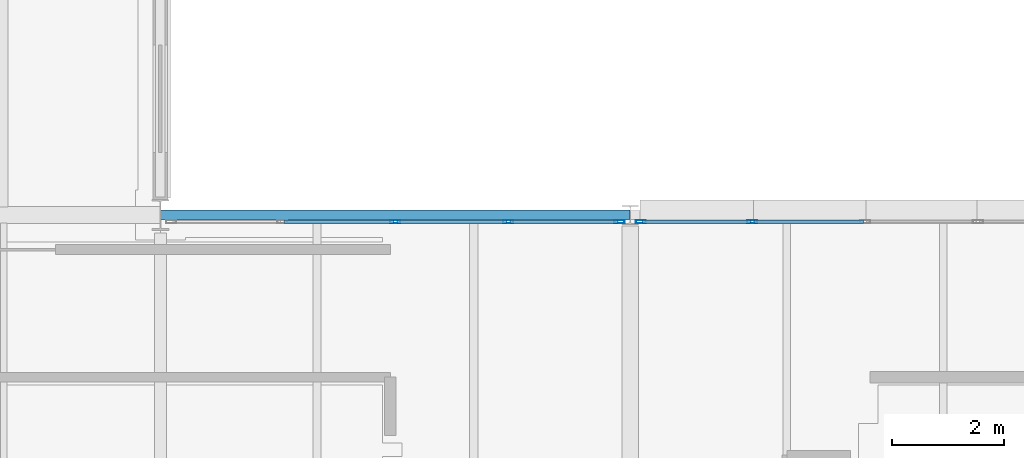
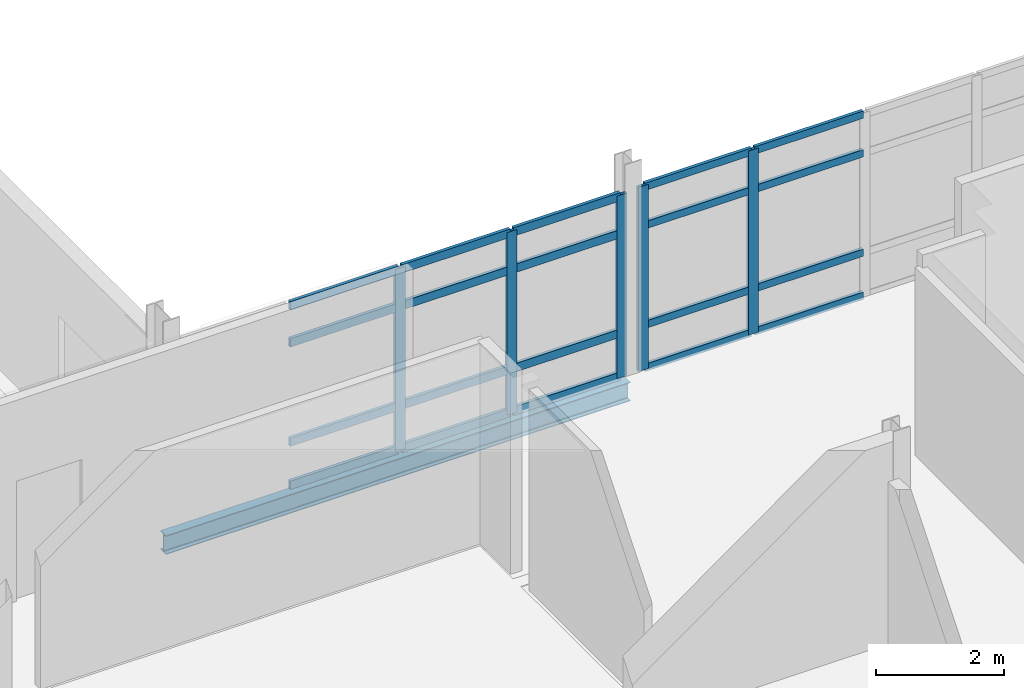
# One storey, part 31 of 151: 25 members, 1 beam, 2 elements without a shape of their own.
"""IFC4 building model written with IfcOpenShell, lengths in metres."""

from ifc_helpers import new_model, si_unit, direction, frame, origin, origin_2d, place, context, subcontext, project, spatial, hollow_rectangle, i_section, extrude, material, material_profile, profile_set, type_object, element, aggregate, save


model = new_model("IFC4")

# Units and contexts
model_context = context("Model", 3, precision=1e-05, world=origin(), true_north=direction((0.0, 1.0)))
body_context = subcontext(model_context, "Body", "Model", "MODEL_VIEW")
ifc_project = project(units=[si_unit("LENGTHUNIT", "METRE"), si_unit("AREAUNIT", "SQUARE_METRE"), si_unit("VOLUMEUNIT", "CUBIC_METRE"), si_unit("PLANEANGLEUNIT", "RADIAN"), si_unit("MASSUNIT", "GRAM", prefix="KILO")], contexts=[model_context])

# Site, building, storey
site_placement = place(None, origin())
site = spatial("IfcSite", under=ifc_project, at=site_placement, CompositionType="ELEMENT")
building_placement = place(site_placement, origin())
building = spatial("IfcBuilding", under=site, at=building_placement, Name="Mersafa Astral City Hall", CompositionType="ELEMENT")
storey_placement = place(building_placement, frame((0.0, 0.0, 9.89990234375)))
storey = spatial("IfcBuildingStorey", under=building, at=storey_placement, Name="L02", CompositionType="ELEMENT", Elevation=9.89990234375)

# Curtain wall, members
ifc_material_1 = material(Name="Anodised bronze aluminium framing", Category="aluminium")
curtain_wall_type_1 = type_object("IfcCurtainWallType", Name="ENV-CW-2", PredefinedType="USERDEFINED", material=ifc_material_1)
curtain_wall_1_placement = place(storey_placement, origin())
curtain_wall_1 = element("IfcCurtainWall", 1, at=curtain_wall_1_placement, inside=storey, type_object=curtain_wall_type_1, Name="L02 Unitised solar curtain wall 109", ObjectType="UNITISED CURTAIN WALL", PredefinedType="USERDEFINED")
ifc_material_profile_1 = material_profile(ifc_material_1, hollow_rectangle(XDim=0.06005859375, YDim=0.179931640625, WallThickness=0.00390625, at=origin_2d()), Name="RHS 60x180x4")
ifc_profile_set_1 = profile_set([ifc_material_profile_1], Name="Anodised bronze aluminium framing")
member_type_1 = type_object("IfcMemberType", Name="ENV-CW-MUL-1", PredefinedType="MULLION", material=ifc_profile_set_1)
member_1_placement = place(storey_placement, frame((128.180908203125, 33.47998046875, -0.001953125), z_axis=(0.0, 0.0, 1.0), x_axis=(0.0, -1.0, 0.0)))
member_1 = element("IfcMember", 2, at=member_1_placement, type_object=member_type_1, Name="CW-2 mullion 4", PredefinedType="MULLION", context=body_context, shape_type="SweptSolid", body=[
    extrude(hollow_rectangle(XDim=0.06005859375, YDim=0.179931640625, WallThickness=0.00390625, at=origin_2d()), origin(), (0.0, 0.0, 1.0), 3.51904296875),
])
member_2_placement = place(storey_placement, frame((126.19189453125, 33.47998046875, -0.001953125), z_axis=(0.0, 0.0, 1.0), x_axis=(0.0, -1.0, 0.0)))
member_2 = element("IfcMember", 3, at=member_2_placement, type_object=member_type_1, Name="CW-2 mullion 5", PredefinedType="MULLION", context=body_context, shape_type="SweptSolid", body=[
    extrude(hollow_rectangle(XDim=0.06005859375, YDim=0.179931640625, WallThickness=0.00390625, at=origin_2d()), origin(), (0.0, 0.0, 1.0), 3.51904296875),
])

curtain_wall_type_2 = type_object("IfcCurtainWallType", Name="ENV-CW-3", PredefinedType="USERDEFINED", material=ifc_material_1)
curtain_wall_2_placement = place(storey_placement, origin())
curtain_wall_2 = element("IfcCurtainWall", 4, at=curtain_wall_2_placement, inside=storey, type_object=curtain_wall_type_2, Name="L02 Unitised solar curtain wall 110", ObjectType="UNITISED CURTAIN WALL", PredefinedType="USERDEFINED")
member_3_placement = place(storey_placement, frame((125.80810546875, 33.47998046875, -0.001953125), z_axis=(0.0, 0.0, 1.0), x_axis=(0.0, -1.0, 0.0)))
member_3 = element("IfcMember", 5, at=member_3_placement, type_object=member_type_1, Name="CW-3 mullion 1", PredefinedType="MULLION", context=body_context, shape_type="SweptSolid", body=[
    extrude(hollow_rectangle(XDim=0.06005859375, YDim=0.179931640625, WallThickness=0.00390625, at=origin_2d()), origin(), (0.0, 0.0, 1.0), 3.489013671875),
])
member_4_placement = place(storey_placement, frame((123.819091796875, 33.47998046875, -0.001953125), z_axis=(0.0, 0.0, 1.0), x_axis=(0.0, -1.0, 0.0)))
member_4 = element("IfcMember", 6, at=member_4_placement, type_object=member_type_1, Name="CW-3 mullion 2", PredefinedType="MULLION", context=body_context, shape_type="SweptSolid", body=[
    extrude(hollow_rectangle(XDim=0.06005859375, YDim=0.179931640625, WallThickness=0.00390625, at=origin_2d()), origin(), (0.0, 0.0, 1.0), 3.489013671875),
])
member_5_placement = place(storey_placement, frame((121.800048828125, 33.47998046875, -0.001953125), z_axis=(0.0, 0.0, 1.0), x_axis=(0.0, -1.0, 0.0)))
member_5 = element("IfcMember", 7, at=member_5_placement, type_object=member_type_1, Name="CW-3 mullion 3", PredefinedType="MULLION", context=body_context, shape_type="SweptSolid", body=[
    extrude(hollow_rectangle(XDim=0.06005859375, YDim=0.179931640625, WallThickness=0.00390625, at=origin_2d()), origin(), (0.0, 0.0, 1.0), 3.489013671875),
])

# Member
ifc_material_profile_2 = material_profile(ifc_material_1, hollow_rectangle(XDim=0.06005859375, YDim=0.139892578125, WallThickness=0.00390625, at=origin_2d()), Name="RHS 60x140x4")
ifc_profile_set_2 = profile_set([ifc_material_profile_2], Name="Anodised bronze aluminium framing")
member_type_2 = type_object("IfcMemberType", Name="ENV-CW-TRN-1", PredefinedType="USERDEFINED", material=ifc_profile_set_2)
member_6_placement = place(storey_placement, frame((130.169921875, 33.47998046875, 0.028076171875), z_axis=(-1.0, 0.0, 0.0), x_axis=(0.0, -1.0, 0.0)))
member_6 = element("IfcMember", 8, at=member_6_placement, type_object=member_type_2, Name="CW-2 transom 3.1", ObjectType="TRANSOM", PredefinedType="USERDEFINED", context=body_context, shape_type="SweptSolid", body=[
    extrude(hollow_rectangle(XDim=0.06005859375, YDim=0.139892578125, WallThickness=0.00390625, at=origin_2d()), origin(), (0.0, 0.0, 1.0), 1.958984375),
])

member_7_placement = place(storey_placement, frame((130.169921875, 33.47998046875, 0.85009765625), z_axis=(-1.0, 0.0, 0.0), x_axis=(0.0, -1.0, 0.0)))
member_7 = element("IfcMember", 9, at=member_7_placement, type_object=member_type_2, Name="CW-2 transom 3.2", ObjectType="TRANSOM", PredefinedType="USERDEFINED", context=body_context, shape_type="SweptSolid", body=[
    extrude(hollow_rectangle(XDim=0.06005859375, YDim=0.139892578125, WallThickness=0.00390625, at=origin_2d()), origin(), (0.0, 0.0, 1.0), 1.958984375),
])

member_8_placement = place(storey_placement, frame((130.169921875, 33.47998046875, 2.75), z_axis=(-1.0, 0.0, 0.0), x_axis=(0.0, -1.0, 0.0)))
member_8 = element("IfcMember", 10, at=member_8_placement, type_object=member_type_2, Name="CW-2 transom 3.3", ObjectType="TRANSOM", PredefinedType="USERDEFINED", context=body_context, shape_type="SweptSolid", body=[
    extrude(hollow_rectangle(XDim=0.06005859375, YDim=0.139892578125, WallThickness=0.00390625, at=origin_2d()), origin(), (0.0, 0.0, 1.0), 1.958984375),
])

member_9_placement = place(storey_placement, frame((130.169921875, 33.47998046875, 3.487060546875), z_axis=(-1.0, 0.0, 0.0), x_axis=(0.0, -1.0, 0.0)))
member_9 = element("IfcMember", 11, at=member_9_placement, type_object=member_type_2, Name="CW-2 transom 3.4", ObjectType="TRANSOM", PredefinedType="USERDEFINED", context=body_context, shape_type="SweptSolid", body=[
    extrude(hollow_rectangle(XDim=0.06005859375, YDim=0.139892578125, WallThickness=0.00390625, at=origin_2d()), origin(), (0.0, 0.0, 1.0), 1.958984375),
])

member_10_placement = place(storey_placement, frame((128.15087890625, 33.47998046875, 0.028076171875), z_axis=(-1.0, 0.0, 0.0), x_axis=(0.0, -1.0, 0.0)))
member_10 = element("IfcMember", 12, at=member_10_placement, type_object=member_type_2, Name="CW-2 transom 4.1", ObjectType="TRANSOM", PredefinedType="USERDEFINED", context=body_context, shape_type="SweptSolid", body=[
    extrude(hollow_rectangle(XDim=0.06005859375, YDim=0.139892578125, WallThickness=0.00390625, at=origin_2d()), origin(), (0.0, 0.0, 1.0), 1.928955078125),
])

member_11_placement = place(storey_placement, frame((128.15087890625, 33.47998046875, 0.85009765625), z_axis=(-1.0, 0.0, 0.0), x_axis=(0.0, -1.0, 0.0)))
member_11 = element("IfcMember", 13, at=member_11_placement, type_object=member_type_2, Name="CW-2 transom 4.2", ObjectType="TRANSOM", PredefinedType="USERDEFINED", context=body_context, shape_type="SweptSolid", body=[
    extrude(hollow_rectangle(XDim=0.06005859375, YDim=0.139892578125, WallThickness=0.00390625, at=origin_2d()), origin(), (0.0, 0.0, 1.0), 1.928955078125),
])

member_12_placement = place(storey_placement, frame((128.15087890625, 33.47998046875, 2.75), z_axis=(-1.0, 0.0, 0.0), x_axis=(0.0, -1.0, 0.0)))
member_12 = element("IfcMember", 14, at=member_12_placement, type_object=member_type_2, Name="CW-2 transom 4.3", ObjectType="TRANSOM", PredefinedType="USERDEFINED", context=body_context, shape_type="SweptSolid", body=[
    extrude(hollow_rectangle(XDim=0.06005859375, YDim=0.139892578125, WallThickness=0.00390625, at=origin_2d()), origin(), (0.0, 0.0, 1.0), 1.928955078125),
])

member_13_placement = place(storey_placement, frame((128.15087890625, 33.47998046875, 3.487060546875), z_axis=(-1.0, 0.0, 0.0), x_axis=(0.0, -1.0, 0.0)))
member_13 = element("IfcMember", 15, at=member_13_placement, type_object=member_type_2, Name="CW-2 transom 4.4", ObjectType="TRANSOM", PredefinedType="USERDEFINED", context=body_context, shape_type="SweptSolid", body=[
    extrude(hollow_rectangle(XDim=0.06005859375, YDim=0.139892578125, WallThickness=0.00390625, at=origin_2d()), origin(), (0.0, 0.0, 1.0), 1.928955078125),
])

aggregate(curtain_wall_1, [member_1, member_2, member_6, member_7, member_8, member_9, member_10, member_11, member_12, member_13])

ifc_material_profile_3 = material_profile(ifc_material_1, hollow_rectangle(XDim=0.06005859375, YDim=0.159912109375, WallThickness=0.00390625, at=origin_2d()), Name="RHS 60x160x4")
ifc_profile_set_3 = profile_set([ifc_material_profile_3], Name="Anodised bronze aluminium framing")
member_type_3 = type_object("IfcMemberType", Name="ENV-CW-TRN-2", PredefinedType="USERDEFINED", material=ifc_profile_set_3)
member_14_placement = place(storey_placement, frame((125.778076171875, 33.47998046875, 0.028076171875), z_axis=(-1.0, 0.0, 0.0), x_axis=(0.0, -1.0, 0.0)))
member_14 = element("IfcMember", 16, at=member_14_placement, type_object=member_type_3, Name="CW-3 transom 1.1", ObjectType="TRANSOM", PredefinedType="USERDEFINED", context=body_context, shape_type="SweptSolid", body=[
    extrude(hollow_rectangle(XDim=0.06005859375, YDim=0.159912109375, WallThickness=0.00390625, at=origin_2d()), origin(), (0.0, 0.0, 1.0), 1.928955078125),
])

member_15_placement = place(storey_placement, frame((125.778076171875, 33.47998046875, 0.85009765625), z_axis=(-1.0, 0.0, 0.0), x_axis=(0.0, -1.0, 0.0)))
member_15 = element("IfcMember", 17, at=member_15_placement, type_object=member_type_3, Name="CW-3 transom 1.2", ObjectType="TRANSOM", PredefinedType="USERDEFINED", context=body_context, shape_type="SweptSolid", body=[
    extrude(hollow_rectangle(XDim=0.06005859375, YDim=0.159912109375, WallThickness=0.00390625, at=origin_2d()), origin(), (0.0, 0.0, 1.0), 1.928955078125),
])

member_16_placement = place(storey_placement, frame((125.778076171875, 33.47998046875, 2.75), z_axis=(-1.0, 0.0, 0.0), x_axis=(0.0, -1.0, 0.0)))
member_16 = element("IfcMember", 18, at=member_16_placement, type_object=member_type_3, Name="CW-3 transom 1.3", ObjectType="TRANSOM", PredefinedType="USERDEFINED", context=body_context, shape_type="SweptSolid", body=[
    extrude(hollow_rectangle(XDim=0.06005859375, YDim=0.159912109375, WallThickness=0.00390625, at=origin_2d()), origin(), (0.0, 0.0, 1.0), 1.928955078125),
])

member_17_placement = place(storey_placement, frame((125.778076171875, 33.47998046875, 3.45703125), z_axis=(-1.0, 0.0, 0.0), x_axis=(0.0, -1.0, 0.0)))
member_17 = element("IfcMember", 19, at=member_17_placement, type_object=member_type_3, Name="CW-3 transom 1.4", ObjectType="TRANSOM", PredefinedType="USERDEFINED", context=body_context, shape_type="SweptSolid", body=[
    extrude(hollow_rectangle(XDim=0.06005859375, YDim=0.159912109375, WallThickness=0.00390625, at=origin_2d()), origin(), (0.0, 0.0, 1.0), 1.928955078125),
])

member_18_placement = place(storey_placement, frame((123.7890625, 33.47998046875, 0.028076171875), z_axis=(-1.0, 0.0, 0.0), x_axis=(0.0, -1.0, 0.0)))
member_18 = element("IfcMember", 20, at=member_18_placement, type_object=member_type_3, Name="CW-3 transom 2.1", ObjectType="TRANSOM", PredefinedType="USERDEFINED", context=body_context, shape_type="SweptSolid", body=[
    extrude(hollow_rectangle(XDim=0.06005859375, YDim=0.159912109375, WallThickness=0.00390625, at=origin_2d()), origin(), (0.0, 0.0, 1.0), 1.958984375),
])

member_19_placement = place(storey_placement, frame((123.7890625, 33.47998046875, 0.85009765625), z_axis=(-1.0, 0.0, 0.0), x_axis=(0.0, -1.0, 0.0)))
member_19 = element("IfcMember", 21, at=member_19_placement, type_object=member_type_3, Name="CW-3 transom 2.2", ObjectType="TRANSOM", PredefinedType="USERDEFINED", context=body_context, shape_type="SweptSolid", body=[
    extrude(hollow_rectangle(XDim=0.06005859375, YDim=0.159912109375, WallThickness=0.00390625, at=origin_2d()), origin(), (0.0, 0.0, 1.0), 1.958984375),
])

member_20_placement = place(storey_placement, frame((123.7890625, 33.47998046875, 2.75), z_axis=(-1.0, 0.0, 0.0), x_axis=(0.0, -1.0, 0.0)))
member_20 = element("IfcMember", 22, at=member_20_placement, type_object=member_type_3, Name="CW-3 transom 2.3", ObjectType="TRANSOM", PredefinedType="USERDEFINED", context=body_context, shape_type="SweptSolid", body=[
    extrude(hollow_rectangle(XDim=0.06005859375, YDim=0.159912109375, WallThickness=0.00390625, at=origin_2d()), origin(), (0.0, 0.0, 1.0), 1.958984375),
])

member_21_placement = place(storey_placement, frame((123.7890625, 33.47998046875, 3.45703125), z_axis=(-1.0, 0.0, 0.0), x_axis=(0.0, -1.0, 0.0)))
member_21 = element("IfcMember", 23, at=member_21_placement, type_object=member_type_3, Name="CW-3 transom 2.4", ObjectType="TRANSOM", PredefinedType="USERDEFINED", context=body_context, shape_type="SweptSolid", body=[
    extrude(hollow_rectangle(XDim=0.06005859375, YDim=0.159912109375, WallThickness=0.00390625, at=origin_2d()), origin(), (0.0, 0.0, 1.0), 1.958984375),
])

member_22_placement = place(storey_placement, frame((121.77001953125, 33.47998046875, 0.028076171875), z_axis=(-1.0, 0.0, 0.0), x_axis=(0.0, -1.0, 0.0)))
member_22 = element("IfcMember", 24, at=member_22_placement, type_object=member_type_3, Name="CW-3 transom 3.1", ObjectType="TRANSOM", PredefinedType="USERDEFINED", context=body_context, shape_type="SweptSolid", body=[
    extrude(hollow_rectangle(XDim=0.06005859375, YDim=0.159912109375, WallThickness=0.00390625, at=origin_2d()), origin(), (0.0, 0.0, 1.0), 1.958984375),
])

member_23_placement = place(storey_placement, frame((121.77001953125, 33.47998046875, 0.85009765625), z_axis=(-1.0, 0.0, 0.0), x_axis=(0.0, -1.0, 0.0)))
member_23 = element("IfcMember", 25, at=member_23_placement, type_object=member_type_3, Name="CW-3 transom 3.2", ObjectType="TRANSOM", PredefinedType="USERDEFINED", context=body_context, shape_type="SweptSolid", body=[
    extrude(hollow_rectangle(XDim=0.06005859375, YDim=0.159912109375, WallThickness=0.00390625, at=origin_2d()), origin(), (0.0, 0.0, 1.0), 1.958984375),
])

member_24_placement = place(storey_placement, frame((121.77001953125, 33.47998046875, 2.75), z_axis=(-1.0, 0.0, 0.0), x_axis=(0.0, -1.0, 0.0)))
member_24 = element("IfcMember", 26, at=member_24_placement, type_object=member_type_3, Name="CW-3 transom 3.3", ObjectType="TRANSOM", PredefinedType="USERDEFINED", context=body_context, shape_type="SweptSolid", body=[
    extrude(hollow_rectangle(XDim=0.06005859375, YDim=0.159912109375, WallThickness=0.00390625, at=origin_2d()), origin(), (0.0, 0.0, 1.0), 1.958984375),
])

member_25_placement = place(storey_placement, frame((121.77001953125, 33.47998046875, 3.45703125), z_axis=(-1.0, 0.0, 0.0), x_axis=(0.0, -1.0, 0.0)))
member_25 = element("IfcMember", 27, at=member_25_placement, type_object=member_type_3, Name="CW-3 transom 3.4", ObjectType="TRANSOM", PredefinedType="USERDEFINED", context=body_context, shape_type="SweptSolid", body=[
    extrude(hollow_rectangle(XDim=0.06005859375, YDim=0.159912109375, WallThickness=0.00390625, at=origin_2d()), origin(), (0.0, 0.0, 1.0), 1.958984375),
])

aggregate(curtain_wall_2, [member_3, member_4, member_5, member_14, member_15, member_16, member_17, member_18, member_19, member_20, member_21, member_22, member_23, member_24, member_25])

# Beam
ifc_material_2 = material(Name="Steel S355", Category="steel")
ifc_material_profile_4 = material_profile(ifc_material_2, i_section(OverallWidth=0.169921875, OverallDepth=0.360107421875, WebThickness=0.008056640625, FlangeThickness=0.0126953125, FilletRadius=0.01806640625, at=origin_2d()), Name="IPE 360")
ifc_profile_set_4 = profile_set([ifc_material_profile_4], Name="Steel S355")
beam_type = type_object("IfcBeamType", Name="STR-BM-SPANDREL-IPE360", PredefinedType="SPANDREL", material=ifc_profile_set_4)
beam_placement = place(storey_placement, frame((117.60302734375, 33.60009765625, -0.3798828125), z_axis=(1.0, 0.0, 0.0), x_axis=(0.0, 1.0, 0.0)))
element("IfcBeam", 28, at=beam_placement, inside=storey, type_object=beam_type, Name="L02 Primary girder X 14-4", PredefinedType="SPANDREL", context=body_context, shape_type="SweptSolid", body=[
    extrude(i_section(OverallWidth=0.169921875, OverallDepth=0.360107421875, WebThickness=0.008056640625, FlangeThickness=0.0126953125, FilletRadius=0.01806640625, at=origin_2d()), origin(), (0.0, 0.0, 1.0), 8.39404296875),
])

save(model, "model.ifc")
